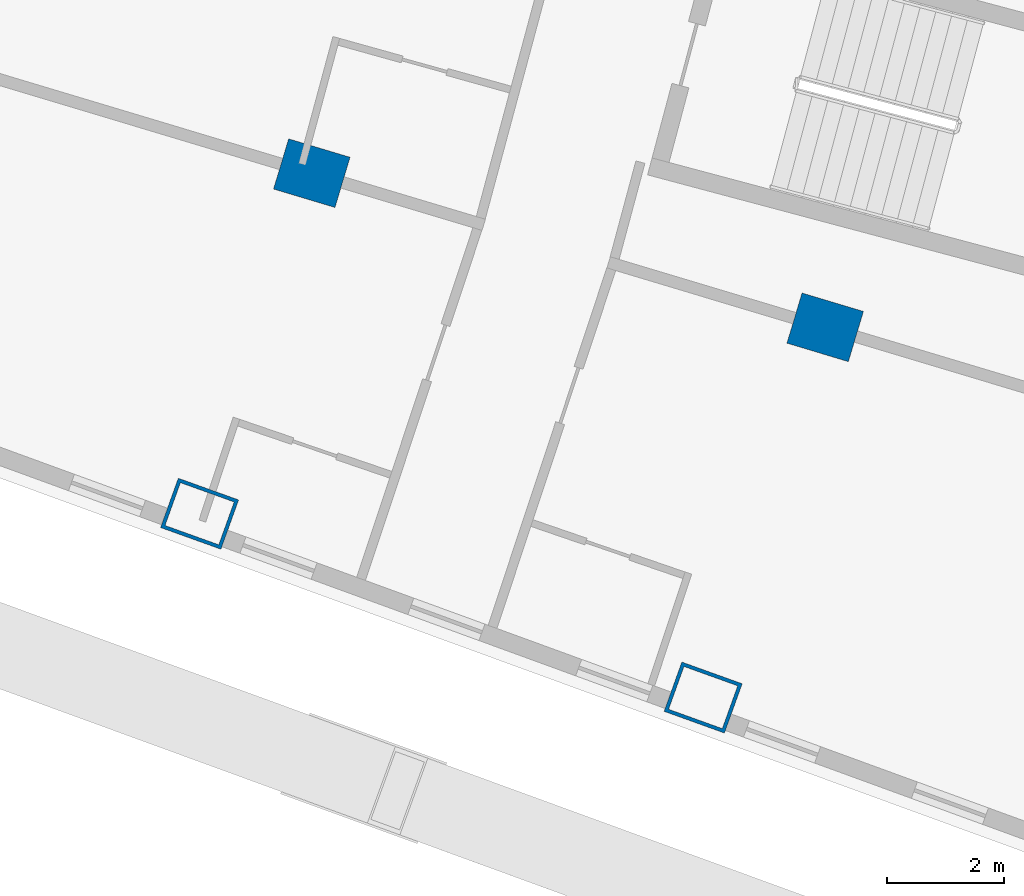
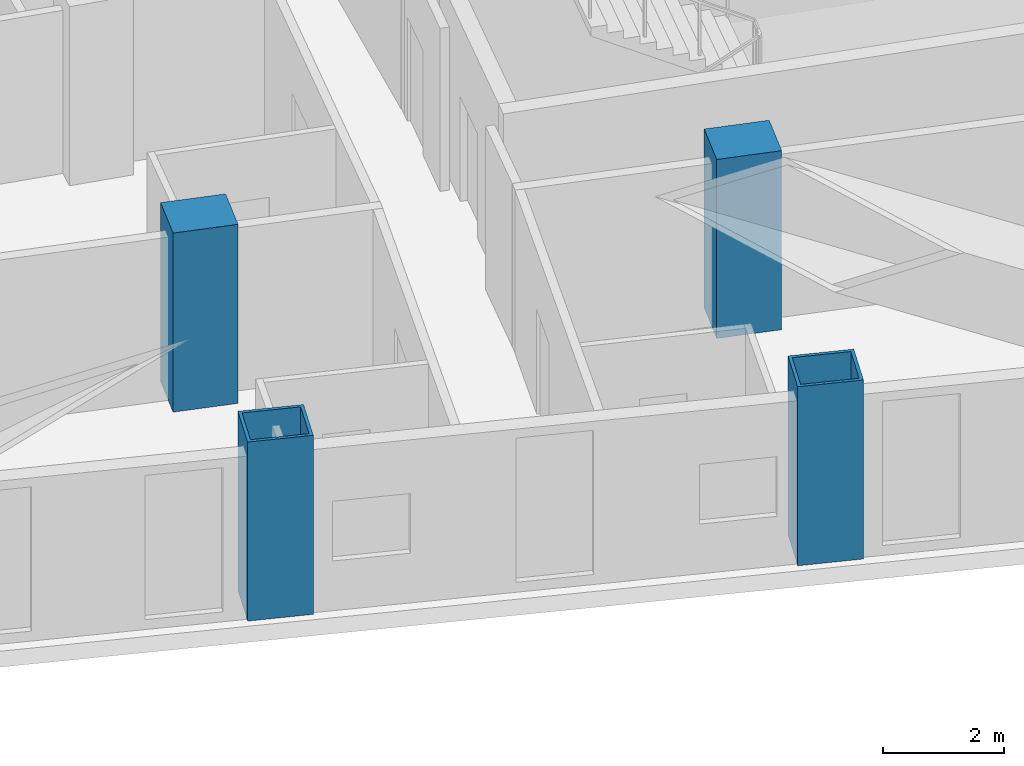
# One storey, part 2 of 25: 4 columns.
"""IFC4 building model written with IfcOpenShell, lengths in metres."""

from ifc_helpers import new_model, si_unit, direction, frame, origin, origin_2d, place, context, subcontext, project, spatial, rectangle, hollow_rectangle, extrude, material, material_profile, profile_set, type_object, element, save


model = new_model("IFC4")

# Units and contexts
model_context = context("Model", 3, precision=1e-05, world=origin(), true_north=direction((0.0, 1.0)))
body_context = subcontext(model_context, "Body", "Model", "MODEL_VIEW")
ifc_project = project(units=[si_unit("LENGTHUNIT", "METRE"), si_unit("AREAUNIT", "SQUARE_METRE"), si_unit("VOLUMEUNIT", "CUBIC_METRE"), si_unit("PLANEANGLEUNIT", "RADIAN"), si_unit("MASSUNIT", "GRAM", prefix="KILO")], contexts=[model_context])

# Site, building, storey
site_placement = place(None, origin())
site = spatial("IfcSite", under=ifc_project, at=site_placement, CompositionType="ELEMENT")
building_placement = place(site_placement, origin())
building = spatial("IfcBuilding", under=site, at=building_placement, Name="Alderwake Tower", CompositionType="ELEMENT")
storey_placement = place(building_placement, frame((0.0, 0.0, 32.0)))
storey = spatial("IfcBuildingStorey", under=building, at=storey_placement, Name="L06", CompositionType="ELEMENT", Elevation=32.0)

# Columns
ifc_material_1 = material(Name="Steel ASTM A572 Grade 50 concrete filled C70/85", Category="concrete")
ifc_material_profile_1 = material_profile(ifc_material_1, hollow_rectangle(XDim=0.89990234375, YDim=1.10009765625, WallThickness=0.06005859375, at=origin_2d()), Name="BOX 1100X900X60")
ifc_profile_set_1 = profile_set([ifc_material_profile_1], Name="Steel ASTM A572 Grade 50 concrete filled C70/85")
column_type_1 = type_object("IfcColumnType", Name="End column Z1", PredefinedType="COLUMN", material=ifc_profile_set_1)
for number, where, z_axis, x_axis, name in (
    (1, (28.983642578125, 21.856689453125, 0.0), (0.0, 0.0, 1.0), (0.338026774049, 0.941136493834, 0.0), "Column R01-C2"),
    (2, (37.6259765625, 18.701904296875, 0.0), (0.0, 0.0, 1.0), (0.338384834858, 0.941007812687, 0.0), "Column R01-C3"),
):
    element("IfcColumn", number, at=place(storey_placement, frame(where, z_axis=z_axis, x_axis=x_axis)), inside=storey, type_object=column_type_1, Name=name, PredefinedType="COLUMN", context=body_context, shape_type="SweptSolid", body=[
        extrude(hollow_rectangle(XDim=0.89990234375, YDim=1.10009765625, WallThickness=0.06005859375, at=origin_2d()), origin(), (0.0, 0.0, 1.0), 3.60009765625),
    ])
ifc_material_2 = material(Name="Concrete C70/85", Category="concrete")
ifc_material_profile_2 = material_profile(ifc_material_2, rectangle(XDim=0.89990234375, YDim=1.10009765625, at=origin_2d()), Name="RC 1100X900")
ifc_profile_set_2 = profile_set([ifc_material_profile_2], Name="Concrete C70/85")
column_type_2 = type_object("IfcColumnType", Name="Interior column Z1", PredefinedType="COLUMN", material=ifc_profile_set_2)
for number, where, z_axis, x_axis, name in (
    (3, (30.9091796875, 27.701904296875, 0.0), (0.0, 0.0, 1.0), (0.287549418125, 0.957765802342, 0.0), "Column R02-C2"),
    (4, (39.720703125, 25.056396484375, 0.0), (0.0, 0.0, 1.0), (0.287549418125, 0.957765802342, 0.0), "Column R02-C3"),
):
    element("IfcColumn", number, at=place(storey_placement, frame(where, z_axis=z_axis, x_axis=x_axis)), inside=storey, type_object=column_type_2, Name=name, PredefinedType="COLUMN", context=body_context, shape_type="SweptSolid", body=[
        extrude(rectangle(XDim=0.89990234375, YDim=1.10009765625, at=origin_2d()), origin(), (0.0, 0.0, 1.0), 3.60009765625),
    ])

save(model, "model.ifc")
